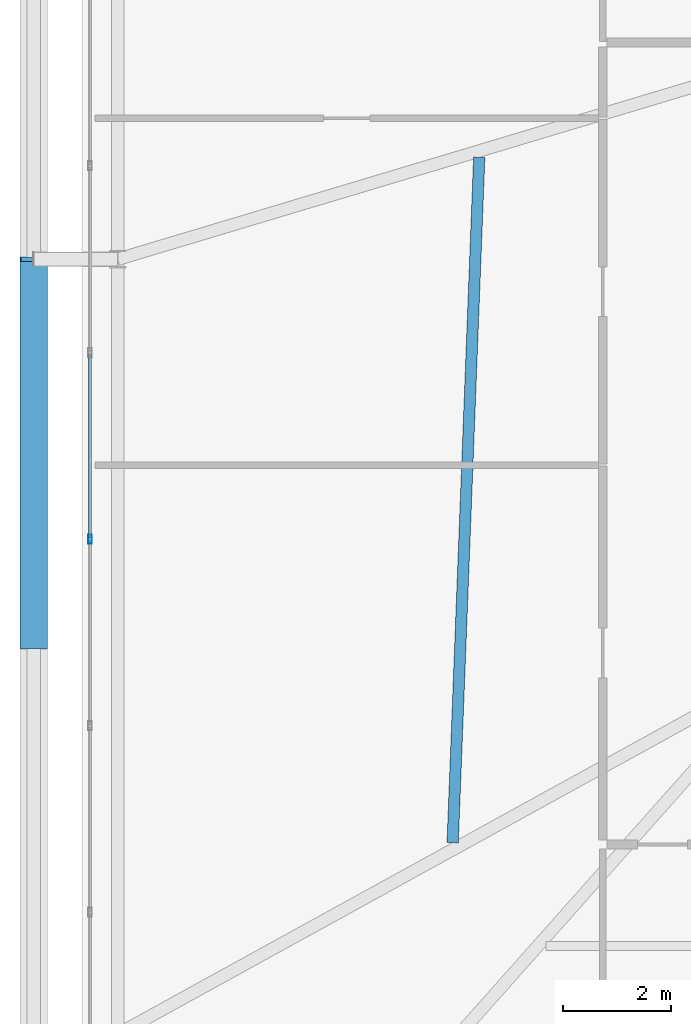
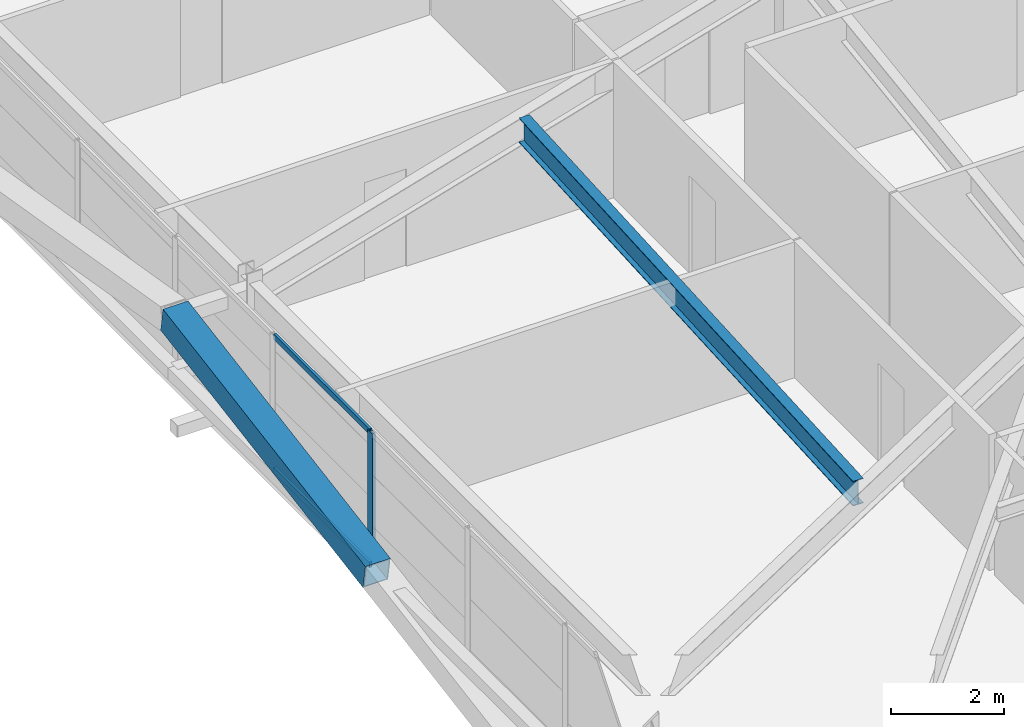
# One storey, part 10 of 59: 4 members, 1 beam, 1 element without a shape of its own.
"""IFC4 building model written with IfcOpenShell, lengths in metres."""

from ifc_helpers import new_model, si_unit, direction, frame, origin, origin_2d, place, context, subcontext, project, spatial, hollow_rectangle, i_section, extrude, source, transform, mapped, material, layer, layer_set, material_profile, profile_set, type_object, element, aggregate, save


model = new_model("IFC4")

# Units and contexts
model_context = context("Model", 3, precision=1e-05, world=origin(), true_north=direction((0.0, 1.0)))
body_context = subcontext(model_context, "Body", "Model", "MODEL_VIEW")
ifc_project = project(units=[si_unit("LENGTHUNIT", "METRE"), si_unit("AREAUNIT", "SQUARE_METRE"), si_unit("VOLUMEUNIT", "CUBIC_METRE"), si_unit("PLANEANGLEUNIT", "RADIAN"), si_unit("MASSUNIT", "GRAM", prefix="KILO")], contexts=[model_context])

# Site, building, storey
site_placement = place(None, origin())
site = spatial("IfcSite", under=ifc_project, at=site_placement, CompositionType="ELEMENT")
building_placement = place(site_placement, origin())
building = spatial("IfcBuilding", under=site, at=building_placement, Name="Taldren Reach Tower", CompositionType="ELEMENT")
storey_placement = place(building_placement, frame((0.0, 0.0, 48.300048828125)))
storey = spatial("IfcBuildingStorey", under=building, at=storey_placement, Name="L14", CompositionType="ELEMENT", Elevation=48.300048828125)

# Beam
ifc_material_1 = material(Name="Steel Gr 350 (350PLUS)", Category="steel")
ifc_material_profile_1 = material_profile(ifc_material_1, i_section(OverallWidth=0.208984375, OverallDepth=0.532958984375, WebThickness=0.01025390625, FlangeThickness=0.015625, at=origin_2d()), Name="530UB92.4")
ifc_profile_set_1 = profile_set([ifc_material_profile_1], Name="Steel Gr 350 (350PLUS)")
beam_type = type_object("IfcBeamType", Name="BM-UB530A", PredefinedType="BEAM", material=ifc_profile_set_1)
shared_shape_1 = source(origin(), body_context, "Body", "SweptSolid", [
    extrude(i_section(OverallWidth=0.208984375, OverallDepth=0.532958984375, WebThickness=0.01025390625, FlangeThickness=0.015625, at=origin_2d()), origin(), (0.0, 0.0, 1.0), 12.65625),
])
beam_placement = place(storey_placement, frame((11.830078125, 9.23291015625, 2.663330078125), z_axis=(0.0387346395, 0.99924953225, 0.0), x_axis=(-0.99924953225, 0.0387346395, 0.0)))
element("IfcBeam", 1, at=beam_placement, inside=storey, type_object=beam_type, Name="Secondary floor beam B1 J6 L14", PredefinedType="BEAM", context=body_context, shape_type="MappedRepresentation", body=[
    mapped(shared_shape_1, transform((0.0, 0.0, 0.0), scale=1.0)),
])

# Member
ifc_material_2 = material(Name="Steel Gr 450 (C450L0)", Category="steel")
ifc_material_profile_2 = material_profile(ifc_material_2, hollow_rectangle(XDim=0.510009765625, YDim=0.510009765625, WallThickness=0.02001953125, at=origin_2d()), Name="510x510x20.0SHS")
ifc_profile_set_2 = profile_set([ifc_material_profile_2], Name="Steel Gr 450 (C450L0)")
member_type_1 = type_object("IfcMemberType", Name="MB-EXO508", PredefinedType="BRACE", material=ifc_profile_set_2)
shared_shape_2 = source(origin(), body_context, "Body", "SweptSolid", [
    extrude(hollow_rectangle(XDim=0.510009765625, YDim=0.510009765625, WallThickness=0.02001953125, at=origin_2d()), origin(), (0.0, 0.0, 1.0), 7.25244140625),
])
member_1_placement = place(storey_placement, frame((4.10009765625, 12.85009765625, 1.43505859375), z_axis=(0.0, 0.985870415536, 0.167509772168), x_axis=(-1.0, 0.0, 0.0)))
element("IfcMember", 2, at=member_1_placement, inside=storey, type_object=member_type_1, Name="Exoskeleton Diagrid Brace B1-W1 L14", PredefinedType="BRACE", context=body_context, shape_type="MappedRepresentation", body=[
    mapped(shared_shape_2, transform((0.0, 0.0, 0.0), scale=1.0)),
])

# Curtain wall, members
ifc_material_3 = material(Name="Aluminium and Low-E Glass Unitised System", Category="aluminium")
ifc_layer = layer(ifc_material_3, 0.159912109375)
ifc_layer_set = layer_set([ifc_layer], Name="Aluminium and Low-E Glass Unitised System")
curtain_wall_type = type_object("IfcCurtainWallType", Name="CW-SYS-2", PredefinedType="NOTDEFINED", material=ifc_layer_set)
curtain_wall_placement = place(storey_placement, origin())
curtain_wall = element("IfcCurtainWall", 3, at=curtain_wall_placement, inside=storey, type_object=curtain_wall_type, Name="Unitised curtain wall CW-L14-W", PredefinedType="NOTDEFINED")
ifc_material_4 = material(Name="Anodised Aluminium 6063-T6", Category="aluminium")
ifc_material_profile_3 = material_profile(ifc_material_4, hollow_rectangle(XDim=0.06494140625, YDim=0.1650390625, WallThickness=0.00390625, at=origin_2d()), Name="ALU-165x65x4RHS")
ifc_profile_set_3 = profile_set([ifc_material_profile_3], Name="Anodised Aluminium 6063-T6")
member_type_2 = type_object("IfcMemberType", Name="CW-MUL-165", PredefinedType="MULLION", material=ifc_profile_set_3)
shared_shape_3 = source(origin(), body_context, "Body", "SweptSolid", [
    extrude(hollow_rectangle(XDim=0.06494140625, YDim=0.1650390625, WallThickness=0.00390625, at=origin_2d()), origin(), (0.0, 0.0, 1.0), 2.929931640625),
])
member_2_placement = place(storey_placement, frame((5.139892578125, 14.833251953125, 0.0), z_axis=(0.0, 0.0, 1.0), x_axis=(1.0, 0.0, 0.0)))
member_2 = element("IfcMember", 4, at=member_2_placement, type_object=member_type_2, Name="CW-2 mullion 7", PredefinedType="MULLION", context=body_context, shape_type="MappedRepresentation", body=[
    mapped(shared_shape_3, transform((0.0, 0.0, 0.0), scale=1.0)),
])
ifc_material_profile_4 = material_profile(ifc_material_4, hollow_rectangle(XDim=0.054931640625, YDim=0.1201171875, WallThickness=0.0029296875, at=origin_2d()), Name="ALU-120x55x3RHS")
ifc_profile_set_4 = profile_set([ifc_material_profile_4], Name="Anodised Aluminium 6063-T6")
member_type_3 = type_object("IfcMemberType", Name="CW-TRN-135", PredefinedType="USERDEFINED", material=ifc_profile_set_4)
shared_shape_4 = source(origin(), body_context, "Body", "SweptSolid", [
    extrude(hollow_rectangle(XDim=0.054931640625, YDim=0.1201171875, WallThickness=0.0029296875, at=origin_2d()), origin(), (0.0, 0.0, 1.0), 3.379638671875),
])
member_3_placement = place(storey_placement, frame((5.139892578125, 18.245361328125, 0.02734375), z_axis=(0.0, -1.0, 0.0), x_axis=(1.0, 0.0, 0.0)))
member_3 = element("IfcMember", 5, at=member_3_placement, type_object=member_type_3, Name="CW-2 transom 6.1", ObjectType="TRANSOM", PredefinedType="USERDEFINED", context=body_context, shape_type="MappedRepresentation", body=[
    mapped(shared_shape_4, transform((0.0, 0.0, 0.0), scale=1.0)),
])
member_4_placement = place(storey_placement, frame((5.139892578125, 18.245361328125, 2.90234375), z_axis=(0.0, -1.0, 0.0), x_axis=(1.0, 0.0, 0.0)))
member_4 = element("IfcMember", 6, at=member_4_placement, type_object=member_type_3, Name="CW-2 transom 6.2", ObjectType="TRANSOM", PredefinedType="USERDEFINED", context=body_context, shape_type="MappedRepresentation", body=[
    mapped(shared_shape_4, transform((0.0, 0.0, 0.0), scale=1.0)),
])
aggregate(curtain_wall, [member_2, member_3, member_4])

save(model, "model.ifc")
